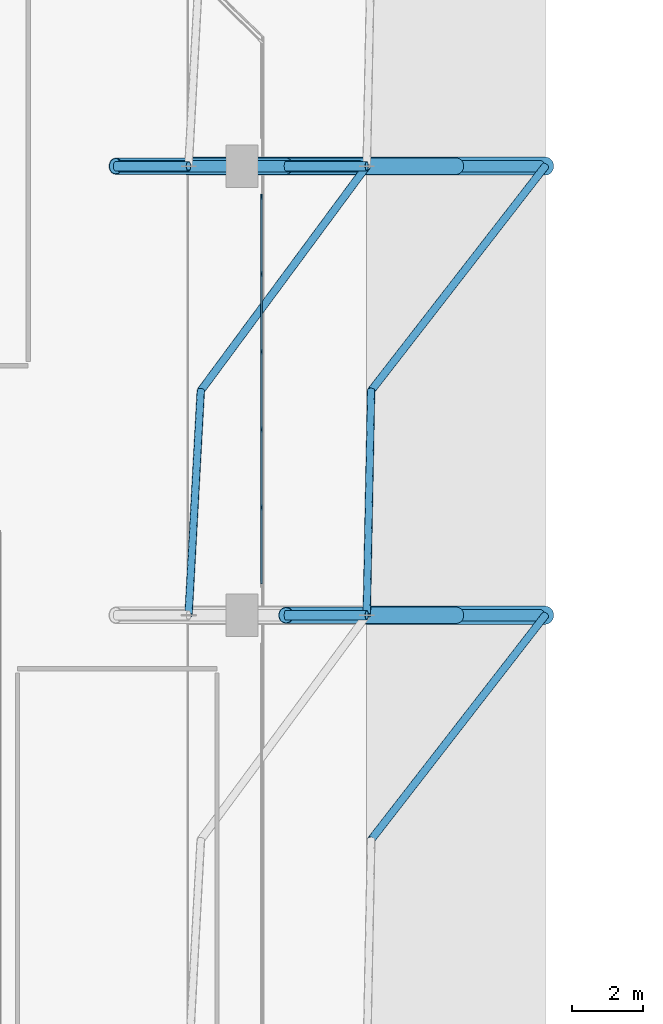
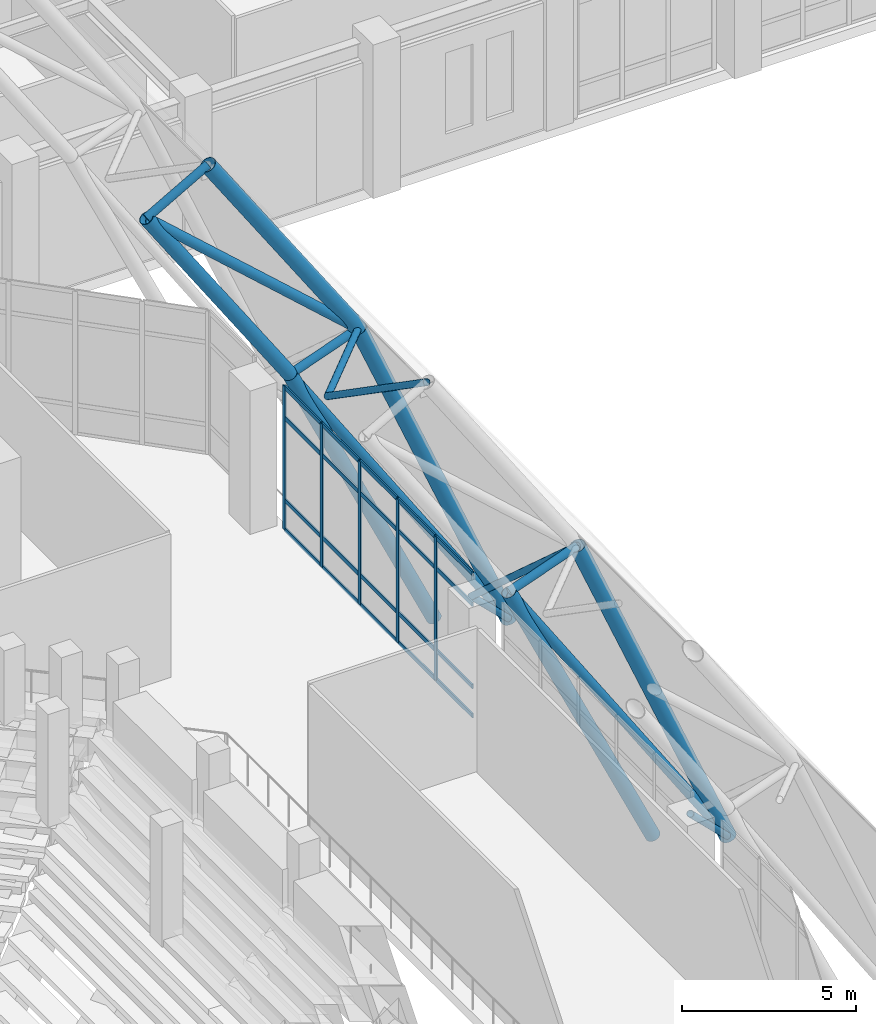
# One storey, part 54 of 159: 42 members, 1 element without a shape of its own.
"""IFC4 building model written with IfcOpenShell, lengths in metres."""

from ifc_helpers import new_model, si_unit, derived_unit, direction, frame, origin, origin_2d, place, context, subcontext, project, spatial, rectangle, hollow_circle, extrude, material, layer, layer_set, material_profile, profile_set, type_object, element, aggregate, save


model = new_model("IFC4")

# Units and contexts
model_context = context("Model", 3, precision=1e-05, world=origin(), true_north=direction((0.0, 1.0)))
body_context = subcontext(model_context, "Body", "Model", "MODEL_VIEW")
ifc_project = project(units=[si_unit("LENGTHUNIT", "METRE"), si_unit("AREAUNIT", "SQUARE_METRE"), si_unit("VOLUMEUNIT", "CUBIC_METRE"), si_unit("PLANEANGLEUNIT", "RADIAN"), si_unit("MASSUNIT", "GRAM", prefix="KILO"), derived_unit("THERMALTRANSMITTANCEUNIT", [(si_unit("MASSUNIT", "GRAM", prefix="KILO"), 1), (si_unit("TIMEUNIT", "SECOND"), -3), (si_unit("THERMODYNAMICTEMPERATUREUNIT", "KELVIN"), -1)])], contexts=[model_context])

# Site, building, storey
site_placement = place(None, origin())
site = spatial("IfcSite", under=ifc_project, at=site_placement, CompositionType="ELEMENT")
building_placement = place(site_placement, origin())
building = spatial("IfcBuilding", under=site, at=building_placement, Name="Valcora Ridge Arena", CompositionType="ELEMENT")
storey_placement = place(building_placement, frame((0.0, 0.0, 6.0)))
storey = spatial("IfcBuildingStorey", under=building, at=storey_placement, Name="L01", CompositionType="ELEMENT", Elevation=6.0)

# Curtain wall, members
ifc_material_1 = material(Name="Anodised dark bronze architectural aluminium 6063-T6", Category="aluminium")
ifc_layer = layer(ifc_material_1, 0.14990234375, Name="Anodised dark bronze architectural aluminium 6063-T6")
ifc_layer_set = layer_set([ifc_layer], Name="Anodised dark bronze architectural aluminium 6063-T6")
curtain_wall_type = type_object("IfcCurtainWallType", Name="TY-CURTAINWALL-CW-V1-EAST-109X50", PredefinedType="NOTDEFINED", material=ifc_layer_set)
curtain_wall_placement = place(storey_placement, origin())
curtain_wall = element("IfcCurtainWall", 1, at=curtain_wall_placement, inside=storey, type_object=curtain_wall_type, Name="CW-V1-EAST-109X50 CW-0111", PredefinedType="NOTDEFINED")
ifc_material_profile_1 = material_profile(ifc_material_1, rectangle(XDim=0.050048828125, YDim=0.14990234375, at=origin_2d()), Name="ALU MULLION 50x150")
ifc_profile_set_1 = profile_set([ifc_material_profile_1], Name="Anodised dark bronze architectural aluminium 6063-T6")
member_type_1 = type_object("IfcMemberType", Name="TY-MEM-CWM-50x150", PredefinedType="MULLION", material=ifc_profile_set_1)
member_1_placement = place(storey_placement, frame((103.050048828125, 86.02392578125, 0.0), z_axis=(0.0, 0.0, 1.0), x_axis=(-1.0, 0.0, 0.0)))
member_1 = element("IfcMember", 2, at=member_1_placement, type_object=member_type_1, Name="CW-0111/CWM-50x150/M01", PredefinedType="MULLION", context=body_context, shape_type="SweptSolid", body=[
    extrude(rectangle(XDim=0.050048828125, YDim=0.14990234375, at=origin_2d()), origin(), (0.0, 0.0, 1.0), 5.0400390625),
])
member_2_placement = place(storey_placement, frame((103.050048828125, 88.2080078125, 0.0), z_axis=(0.0, 0.0, 1.0), x_axis=(-1.0, 0.0, 0.0)))
member_2 = element("IfcMember", 3, at=member_2_placement, type_object=member_type_1, Name="CW-0111/CWM-50x150/M02", PredefinedType="MULLION", context=body_context, shape_type="SweptSolid", body=[
    extrude(rectangle(XDim=0.050048828125, YDim=0.14990234375, at=origin_2d()), origin(), (0.0, 0.0, 1.0), 5.0400390625),
])
member_3_placement = place(storey_placement, frame((103.050048828125, 90.39208984375, 0.0), z_axis=(0.0, 0.0, 1.0), x_axis=(-1.0, 0.0, 0.0)))
member_3 = element("IfcMember", 4, at=member_3_placement, type_object=member_type_1, Name="CW-0111/CWM-50x150/M03", PredefinedType="MULLION", context=body_context, shape_type="SweptSolid", body=[
    extrude(rectangle(XDim=0.050048828125, YDim=0.14990234375, at=origin_2d()), origin(), (0.0, 0.0, 1.0), 5.0400390625),
])
member_4_placement = place(storey_placement, frame((103.050048828125, 92.575927734375, 0.0), z_axis=(0.0, 0.0, 1.0), x_axis=(-1.0, 0.0, 0.0)))
member_4 = element("IfcMember", 5, at=member_4_placement, type_object=member_type_1, Name="CW-0111/CWM-50x150/M04", PredefinedType="MULLION", context=body_context, shape_type="SweptSolid", body=[
    extrude(rectangle(XDim=0.050048828125, YDim=0.14990234375, at=origin_2d()), origin(), (0.0, 0.0, 1.0), 5.0400390625),
])
member_5_placement = place(storey_placement, frame((103.050048828125, 94.735107421875, 0.0), z_axis=(0.0, 0.0, 1.0), x_axis=(-1.0, 0.0, 0.0)))
member_5 = element("IfcMember", 6, at=member_5_placement, type_object=member_type_1, Name="CW-0111/CWM-50x150/M05", PredefinedType="MULLION", context=body_context, shape_type="SweptSolid", body=[
    extrude(rectangle(XDim=0.050048828125, YDim=0.14990234375, at=origin_2d()), origin(), (0.0, 0.0, 1.0), 5.0400390625),
])
ifc_material_profile_2 = material_profile(ifc_material_1, rectangle(XDim=0.050048828125, YDim=0.14990234375, at=origin_2d()), Name="ALU TRANSOM 50x150")
ifc_profile_set_2 = profile_set([ifc_material_profile_2], Name="Anodised dark bronze architectural aluminium 6063-T6")
member_type_2 = type_object("IfcMemberType", Name="TY-MEM-CWT-50x150", PredefinedType="USERDEFINED", material=ifc_profile_set_2)
member_6_placement = place(storey_placement, frame((103.050048828125, 83.889892578125, 0.02490234375), z_axis=(0.0, 1.0, 0.0), x_axis=(-1.0, 0.0, 0.0)))
member_6 = element("IfcMember", 7, at=member_6_placement, type_object=member_type_2, Name="CW-0111/CWT-50x150/T00-00", ObjectType="TRANSOM", PredefinedType="USERDEFINED", context=body_context, shape_type="SweptSolid", body=[
    extrude(rectangle(XDim=0.050048828125, YDim=0.14990234375, at=origin_2d()), origin(), (0.0, 0.0, 1.0), 2.109130859375),
])
member_7_placement = place(storey_placement, frame((103.050048828125, 83.889892578125, 1.050048828125), z_axis=(0.0, 1.0, 0.0), x_axis=(-1.0, 0.0, 0.0)))
member_7 = element("IfcMember", 8, at=member_7_placement, type_object=member_type_2, Name="CW-0111/CWT-50x150/T00-01", ObjectType="TRANSOM", PredefinedType="USERDEFINED", context=body_context, shape_type="SweptSolid", body=[
    extrude(rectangle(XDim=0.050048828125, YDim=0.14990234375, at=origin_2d()), origin(), (0.0, 0.0, 1.0), 2.109130859375),
])
member_8_placement = place(storey_placement, frame((103.050048828125, 83.889892578125, 3.93994140625), z_axis=(0.0, 1.0, 0.0), x_axis=(-1.0, 0.0, 0.0)))
member_8 = element("IfcMember", 9, at=member_8_placement, type_object=member_type_2, Name="CW-0111/CWT-50x150/T00-02", ObjectType="TRANSOM", PredefinedType="USERDEFINED", context=body_context, shape_type="SweptSolid", body=[
    extrude(rectangle(XDim=0.050048828125, YDim=0.14990234375, at=origin_2d()), origin(), (0.0, 0.0, 1.0), 2.109130859375),
])
member_9_placement = place(storey_placement, frame((103.050048828125, 83.889892578125, 5.014892578125), z_axis=(0.0, 1.0, 0.0), x_axis=(-1.0, 0.0, 0.0)))
member_9 = element("IfcMember", 10, at=member_9_placement, type_object=member_type_2, Name="CW-0111/CWT-50x150/T00-03", ObjectType="TRANSOM", PredefinedType="USERDEFINED", context=body_context, shape_type="SweptSolid", body=[
    extrude(rectangle(XDim=0.050048828125, YDim=0.14990234375, at=origin_2d()), origin(), (0.0, 0.0, 1.0), 2.109130859375),
])
member_10_placement = place(storey_placement, frame((103.050048828125, 86.049072265625, 0.02490234375), z_axis=(0.0, 1.0, 0.0), x_axis=(-1.0, 0.0, 0.0)))
member_10 = element("IfcMember", 11, at=member_10_placement, type_object=member_type_2, Name="CW-0111/CWT-50x150/T01-00", ObjectType="TRANSOM", PredefinedType="USERDEFINED", context=body_context, shape_type="SweptSolid", body=[
    extrude(rectangle(XDim=0.050048828125, YDim=0.14990234375, at=origin_2d()), origin(), (0.0, 0.0, 1.0), 2.134033203125),
])
member_11_placement = place(storey_placement, frame((103.050048828125, 86.049072265625, 1.050048828125), z_axis=(0.0, 1.0, 0.0), x_axis=(-1.0, 0.0, 0.0)))
member_11 = element("IfcMember", 12, at=member_11_placement, type_object=member_type_2, Name="CW-0111/CWT-50x150/T01-01", ObjectType="TRANSOM", PredefinedType="USERDEFINED", context=body_context, shape_type="SweptSolid", body=[
    extrude(rectangle(XDim=0.050048828125, YDim=0.14990234375, at=origin_2d()), origin(), (0.0, 0.0, 1.0), 2.134033203125),
])
member_12_placement = place(storey_placement, frame((103.050048828125, 86.049072265625, 3.93994140625), z_axis=(0.0, 1.0, 0.0), x_axis=(-1.0, 0.0, 0.0)))
member_12 = element("IfcMember", 13, at=member_12_placement, type_object=member_type_2, Name="CW-0111/CWT-50x150/T01-02", ObjectType="TRANSOM", PredefinedType="USERDEFINED", context=body_context, shape_type="SweptSolid", body=[
    extrude(rectangle(XDim=0.050048828125, YDim=0.14990234375, at=origin_2d()), origin(), (0.0, 0.0, 1.0), 2.134033203125),
])
member_13_placement = place(storey_placement, frame((103.050048828125, 86.049072265625, 5.014892578125), z_axis=(0.0, 1.0, 0.0), x_axis=(-1.0, 0.0, 0.0)))
member_13 = element("IfcMember", 14, at=member_13_placement, type_object=member_type_2, Name="CW-0111/CWT-50x150/T01-03", ObjectType="TRANSOM", PredefinedType="USERDEFINED", context=body_context, shape_type="SweptSolid", body=[
    extrude(rectangle(XDim=0.050048828125, YDim=0.14990234375, at=origin_2d()), origin(), (0.0, 0.0, 1.0), 2.134033203125),
])
member_14_placement = place(storey_placement, frame((103.050048828125, 88.23291015625, 0.02490234375), z_axis=(0.0, 1.0, 0.0), x_axis=(-1.0, 0.0, 0.0)))
member_14 = element("IfcMember", 15, at=member_14_placement, type_object=member_type_2, Name="CW-0111/CWT-50x150/T02-00", ObjectType="TRANSOM", PredefinedType="USERDEFINED", context=body_context, shape_type="SweptSolid", body=[
    extrude(rectangle(XDim=0.050048828125, YDim=0.14990234375, at=origin_2d()), origin(), (0.0, 0.0, 1.0), 2.134033203125),
])
member_15_placement = place(storey_placement, frame((103.050048828125, 88.23291015625, 1.050048828125), z_axis=(0.0, 1.0, 0.0), x_axis=(-1.0, 0.0, 0.0)))
member_15 = element("IfcMember", 16, at=member_15_placement, type_object=member_type_2, Name="CW-0111/CWT-50x150/T02-01", ObjectType="TRANSOM", PredefinedType="USERDEFINED", context=body_context, shape_type="SweptSolid", body=[
    extrude(rectangle(XDim=0.050048828125, YDim=0.14990234375, at=origin_2d()), origin(), (0.0, 0.0, 1.0), 2.134033203125),
])
member_16_placement = place(storey_placement, frame((103.050048828125, 88.23291015625, 3.93994140625), z_axis=(0.0, 1.0, 0.0), x_axis=(-1.0, 0.0, 0.0)))
member_16 = element("IfcMember", 17, at=member_16_placement, type_object=member_type_2, Name="CW-0111/CWT-50x150/T02-02", ObjectType="TRANSOM", PredefinedType="USERDEFINED", context=body_context, shape_type="SweptSolid", body=[
    extrude(rectangle(XDim=0.050048828125, YDim=0.14990234375, at=origin_2d()), origin(), (0.0, 0.0, 1.0), 2.134033203125),
])
member_17_placement = place(storey_placement, frame((103.050048828125, 88.23291015625, 5.014892578125), z_axis=(0.0, 1.0, 0.0), x_axis=(-1.0, 0.0, 0.0)))
member_17 = element("IfcMember", 18, at=member_17_placement, type_object=member_type_2, Name="CW-0111/CWT-50x150/T02-03", ObjectType="TRANSOM", PredefinedType="USERDEFINED", context=body_context, shape_type="SweptSolid", body=[
    extrude(rectangle(XDim=0.050048828125, YDim=0.14990234375, at=origin_2d()), origin(), (0.0, 0.0, 1.0), 2.134033203125),
])
member_18_placement = place(storey_placement, frame((103.050048828125, 90.4169921875, 0.02490234375), z_axis=(0.0, 1.0, 0.0), x_axis=(-1.0, 0.0, 0.0)))
member_18 = element("IfcMember", 19, at=member_18_placement, type_object=member_type_2, Name="CW-0111/CWT-50x150/T03-00", ObjectType="TRANSOM", PredefinedType="USERDEFINED", context=body_context, shape_type="SweptSolid", body=[
    extrude(rectangle(XDim=0.050048828125, YDim=0.14990234375, at=origin_2d()), origin(), (0.0, 0.0, 1.0), 2.134033203125),
])
member_19_placement = place(storey_placement, frame((103.050048828125, 90.4169921875, 1.050048828125), z_axis=(0.0, 1.0, 0.0), x_axis=(-1.0, 0.0, 0.0)))
member_19 = element("IfcMember", 20, at=member_19_placement, type_object=member_type_2, Name="CW-0111/CWT-50x150/T03-01", ObjectType="TRANSOM", PredefinedType="USERDEFINED", context=body_context, shape_type="SweptSolid", body=[
    extrude(rectangle(XDim=0.050048828125, YDim=0.14990234375, at=origin_2d()), origin(), (0.0, 0.0, 1.0), 2.134033203125),
])
member_20_placement = place(storey_placement, frame((103.050048828125, 90.4169921875, 3.93994140625), z_axis=(0.0, 1.0, 0.0), x_axis=(-1.0, 0.0, 0.0)))
member_20 = element("IfcMember", 21, at=member_20_placement, type_object=member_type_2, Name="CW-0111/CWT-50x150/T03-02", ObjectType="TRANSOM", PredefinedType="USERDEFINED", context=body_context, shape_type="SweptSolid", body=[
    extrude(rectangle(XDim=0.050048828125, YDim=0.14990234375, at=origin_2d()), origin(), (0.0, 0.0, 1.0), 2.134033203125),
])
member_21_placement = place(storey_placement, frame((103.050048828125, 90.4169921875, 5.014892578125), z_axis=(0.0, 1.0, 0.0), x_axis=(-1.0, 0.0, 0.0)))
member_21 = element("IfcMember", 22, at=member_21_placement, type_object=member_type_2, Name="CW-0111/CWT-50x150/T03-03", ObjectType="TRANSOM", PredefinedType="USERDEFINED", context=body_context, shape_type="SweptSolid", body=[
    extrude(rectangle(XDim=0.050048828125, YDim=0.14990234375, at=origin_2d()), origin(), (0.0, 0.0, 1.0), 2.134033203125),
])
member_22_placement = place(storey_placement, frame((103.050048828125, 92.60107421875, 0.02490234375), z_axis=(0.0, 1.0, 0.0), x_axis=(-1.0, 0.0, 0.0)))
member_22 = element("IfcMember", 23, at=member_22_placement, type_object=member_type_2, Name="CW-0111/CWT-50x150/T04-00", ObjectType="TRANSOM", PredefinedType="USERDEFINED", context=body_context, shape_type="SweptSolid", body=[
    extrude(rectangle(XDim=0.050048828125, YDim=0.14990234375, at=origin_2d()), origin(), (0.0, 0.0, 1.0), 2.10888671875),
])
member_23_placement = place(storey_placement, frame((103.050048828125, 92.60107421875, 1.050048828125), z_axis=(0.0, 1.0, 0.0), x_axis=(-1.0, 0.0, 0.0)))
member_23 = element("IfcMember", 24, at=member_23_placement, type_object=member_type_2, Name="CW-0111/CWT-50x150/T04-01", ObjectType="TRANSOM", PredefinedType="USERDEFINED", context=body_context, shape_type="SweptSolid", body=[
    extrude(rectangle(XDim=0.050048828125, YDim=0.14990234375, at=origin_2d()), origin(), (0.0, 0.0, 1.0), 2.10888671875),
])
member_24_placement = place(storey_placement, frame((103.050048828125, 92.60107421875, 3.93994140625), z_axis=(0.0, 1.0, 0.0), x_axis=(-1.0, 0.0, 0.0)))
member_24 = element("IfcMember", 25, at=member_24_placement, type_object=member_type_2, Name="CW-0111/CWT-50x150/T04-02", ObjectType="TRANSOM", PredefinedType="USERDEFINED", context=body_context, shape_type="SweptSolid", body=[
    extrude(rectangle(XDim=0.050048828125, YDim=0.14990234375, at=origin_2d()), origin(), (0.0, 0.0, 1.0), 2.10888671875),
])
member_25_placement = place(storey_placement, frame((103.050048828125, 92.60107421875, 5.014892578125), z_axis=(0.0, 1.0, 0.0), x_axis=(-1.0, 0.0, 0.0)))
member_25 = element("IfcMember", 26, at=member_25_placement, type_object=member_type_2, Name="CW-0111/CWT-50x150/T04-03", ObjectType="TRANSOM", PredefinedType="USERDEFINED", context=body_context, shape_type="SweptSolid", body=[
    extrude(rectangle(XDim=0.050048828125, YDim=0.14990234375, at=origin_2d()), origin(), (0.0, 0.0, 1.0), 2.10888671875),
])
aggregate(curtain_wall, [member_1, member_2, member_3, member_4, member_5, member_6, member_7, member_8, member_9, member_10, member_11, member_12, member_13, member_14, member_15, member_16, member_17, member_18, member_19, member_20, member_21, member_22, member_23, member_24, member_25])

# Members
ifc_material_2 = material(Name="Steel ASTM A500 Grade C", Category="steel")
ifc_material_profile_3 = material_profile(ifc_material_2, hollow_circle(Radius=0.228515625, WallThickness=0.01611328125, at=origin_2d()), Name="CHS457X16")
ifc_profile_set_3 = profile_set([ifc_material_profile_3], Name="Steel ASTM A500 Grade C")
member_type_3 = type_object("IfcMemberType", Name="TY-MEMBER-SFBC-457", PredefinedType="CHORD", material=ifc_profile_set_3)
member_26_placement = place(storey_placement, frame((103.73046875, 83.0, 4.687744140625), z_axis=(0.423307664024, 0.0, -0.90598599414), x_axis=(0.0, 1.0, 0.0)))
element("IfcMember", 27, at=member_26_placement, inside=storey, type_object=member_type_3, Name="SFBC-457 Space Frame Bottom Chord", PredefinedType="CHORD", context=body_context, shape_type="SweptSolid", body=[
    extrude(hollow_circle(Radius=0.228515625, WallThickness=0.01611328125, at=origin_2d()), origin(), (0.0, 0.0, 1.0), 11.300048828125),
])
member_27_placement = place(storey_placement, frame((98.95654296875, 95.60009765625, 11.845947265625), z_axis=(0.554844245473, 0.0, -0.831954243493), x_axis=(0.0, 1.0, 0.0)))
element("IfcMember", 28, at=member_27_placement, inside=storey, type_object=member_type_3, Name="SFBC-457 Space Frame Bottom Chord", PredefinedType="CHORD", context=body_context, shape_type="SweptSolid", body=[
    extrude(hollow_circle(Radius=0.228515625, WallThickness=0.01611328125, at=origin_2d()), origin(), (0.0, 0.0, 1.0), 8.60400390625),
])
member_28_placement = place(storey_placement, frame((103.73046875, 95.60009765625, 4.687744140625), z_axis=(0.423307664024, 0.0, -0.90598599414), x_axis=(0.0, 1.0, 0.0)))
element("IfcMember", 29, at=member_28_placement, inside=storey, type_object=member_type_3, Name="SFBC-457 Space Frame Bottom Chord", PredefinedType="CHORD", context=body_context, shape_type="SweptSolid", body=[
    extrude(hollow_circle(Radius=0.228515625, WallThickness=0.01611328125, at=origin_2d()), origin(), (0.0, 0.0, 1.0), 11.300048828125),
])
ifc_material_profile_4 = material_profile(ifc_material_2, hollow_circle(Radius=0.136474609375, WallThickness=0.012451171875, at=origin_2d()), Name="CHS273X12")
ifc_profile_set_4 = profile_set([ifc_material_profile_4], Name="Steel ASTM A500 Grade C")
member_type_4 = type_object("IfcMemberType", Name="TY-MEMBER-SFKP-273", PredefinedType="POST", material=ifc_profile_set_4)
member_29_placement = place(storey_placement, frame((103.73046875, 83.0, 4.687744140625), z_axis=(0.940679548022, 0.0, 0.339296312878), x_axis=(0.0, 1.0, 0.0)))
element("IfcMember", 30, at=member_29_placement, inside=storey, type_object=member_type_4, Name="SFKP-273 Space Frame King Post", PredefinedType="POST", context=body_context, shape_type="SweptSolid", body=[
    extrude(hollow_circle(Radius=0.136474609375, WallThickness=0.012451171875, at=origin_2d()), origin(), (0.0, 0.0, 1.0), 2.41259765625),
])
member_30_placement = place(storey_placement, frame((98.95654296875, 95.60009765625, 11.845947265625), z_axis=(0.870066770029, 0.0, 0.49293388572), x_axis=(0.0, 1.0, 0.0)))
element("IfcMember", 31, at=member_30_placement, inside=storey, type_object=member_type_4, Name="SFKP-273 Space Frame King Post", PredefinedType="POST", context=body_context, shape_type="SweptSolid", body=[
    extrude(hollow_circle(Radius=0.136474609375, WallThickness=0.012451171875, at=origin_2d()), origin(), (0.0, 0.0, 1.0), 2.3486328125),
])
member_31_placement = place(storey_placement, frame((103.73046875, 95.60009765625, 4.687744140625), z_axis=(0.940679548022, 0.0, 0.339296312878), x_axis=(0.0, 1.0, 0.0)))
element("IfcMember", 32, at=member_31_placement, inside=storey, type_object=member_type_4, Name="SFKP-273 Space Frame King Post", PredefinedType="POST", context=body_context, shape_type="SweptSolid", body=[
    extrude(hollow_circle(Radius=0.136474609375, WallThickness=0.012451171875, at=origin_2d()), origin(), (0.0, 0.0, 1.0), 2.41259765625),
])
ifc_material_profile_5 = material_profile(ifc_material_2, hollow_circle(Radius=0.109619140625, WallThickness=0.010009765625, at=origin_2d()), Name="CHS219X10")
ifc_profile_set_5 = profile_set([ifc_material_profile_5], Name="Steel ASTM A500 Grade C")
member_type_5 = type_object("IfcMemberType", Name="TY-MEMBER-SFST-219", PredefinedType="STRUT", material=ifc_profile_set_5)
member_32_placement = place(storey_placement, frame((106.122314453125, 76.699951171875, -0.131103515625), z_axis=(0.480415634136, 0.619237034909, -0.621084787348), x_axis=(-0.790101773221, 0.612975683003, 0.0)))
element("IfcMember", 33, at=member_32_placement, inside=storey, type_object=member_type_5, Name="SFST-219 Space Frame Tie Strut", PredefinedType="STRUT", context=body_context, shape_type="SweptSolid", body=[
    extrude(hollow_circle(Radius=0.109619140625, WallThickness=0.010009765625, at=origin_2d()), origin(), (0.0, 0.0, 1.0), 10.173828125),
])
member_33_placement = place(storey_placement, frame((101.343505859375, 89.300048828125, 8.570068359375), z_axis=(-0.044545322224, -0.816980838661, 0.57494175664), x_axis=(0.998516855542, -0.054443449554, 0.0)))
element("IfcMember", 34, at=member_33_placement, inside=storey, type_object=member_type_5, Name="SFST-219 Space Frame Tie Strut", PredefinedType="STRUT", context=body_context, shape_type="SweptSolid", body=[
    extrude(hollow_circle(Radius=0.109619140625, WallThickness=0.010009765625, at=origin_2d()), origin(), (0.0, 0.0, 1.0), 7.71142578125),
])
member_34_placement = place(storey_placement, frame((101.343505859375, 89.300048828125, 8.570068359375), z_axis=(0.55356081568, 0.748945464721, -0.364213006657), x_axis=(-0.804180027391, 0.59438580362, 0.0)))
element("IfcMember", 35, at=member_34_placement, inside=storey, type_object=member_type_5, Name="SFST-219 Space Frame Tie Strut", PredefinedType="STRUT", context=body_context, shape_type="SweptSolid", body=[
    extrude(hollow_circle(Radius=0.109619140625, WallThickness=0.010009765625, at=origin_2d()), origin(), (0.0, 0.0, 1.0), 8.411865234375),
])
member_35_placement = place(storey_placement, frame((106.122314453125, 89.300048828125, -0.131103515625), z_axis=(-0.014466583162, -0.745130096773, 0.666762219127), x_axis=(0.999811585217, -0.019411184042, 0.0)))
element("IfcMember", 36, at=member_35_placement, inside=storey, type_object=member_type_5, Name="SFST-219 Space Frame Tie Strut", PredefinedType="STRUT", context=body_context, shape_type="SweptSolid", body=[
    extrude(hollow_circle(Radius=0.109619140625, WallThickness=0.010009765625, at=origin_2d()), origin(), (0.0, 0.0, 1.0), 8.455078125),
])
member_36_placement = place(storey_placement, frame((106.122314453125, 89.300048828125, -0.131103515625), z_axis=(0.480415634136, 0.619237034909, -0.621084787348), x_axis=(-0.790101773221, 0.612975683003, 0.0)))
element("IfcMember", 37, at=member_36_placement, inside=storey, type_object=member_type_5, Name="SFST-219 Space Frame Tie Strut", PredefinedType="STRUT", context=body_context, shape_type="SweptSolid", body=[
    extrude(hollow_circle(Radius=0.109619140625, WallThickness=0.010009765625, at=origin_2d()), origin(), (0.0, 0.0, 1.0), 10.173828125),
])
ifc_material_profile_6 = material_profile(ifc_material_2, hollow_circle(Radius=0.25390625, WallThickness=0.01611328125, at=origin_2d()), Name="CHS508X16")
ifc_profile_set_6 = profile_set([ifc_material_profile_6], Name="Steel ASTM A500 Grade C")
member_type_6 = type_object("IfcMemberType", Name="TY-MEMBER-SFTC-508", PredefinedType="CHORD", material=ifc_profile_set_6)
member_37_placement = place(storey_placement, frame((106.0, 83.0, 5.50634765625), z_axis=(0.386469367501, 0.0, -0.922302243293), x_axis=(0.0, 1.0, 0.0)))
element("IfcMember", 38, at=member_37_placement, inside=storey, type_object=member_type_6, Name="SFTC-508 Space Frame Top Chord", PredefinedType="CHORD", context=body_context, shape_type="SweptSolid", body=[
    extrude(hollow_circle(Radius=0.25390625, WallThickness=0.01611328125, at=origin_2d()), origin(), (0.0, 0.0, 1.0), 12.963623046875),
])
member_38_placement = place(storey_placement, frame((101.0, 95.60009765625, 13.003662109375), z_axis=(0.554837731053, 0.0, -0.831958588032), x_axis=(0.0, 1.0, 0.0)))
element("IfcMember", 39, at=member_38_placement, inside=storey, type_object=member_type_6, Name="SFTC-508 Space Frame Top Chord", PredefinedType="CHORD", context=body_context, shape_type="SweptSolid", body=[
    extrude(hollow_circle(Radius=0.25390625, WallThickness=0.01611328125, at=origin_2d()), origin(), (0.0, 0.0, 1.0), 9.01171875),
])
member_39_placement = place(storey_placement, frame((106.0, 95.60009765625, 5.50634765625), z_axis=(0.386469367501, 0.0, -0.922302243293), x_axis=(0.0, 1.0, 0.0)))
element("IfcMember", 40, at=member_39_placement, inside=storey, type_object=member_type_6, Name="SFTC-508 Space Frame Top Chord", PredefinedType="CHORD", context=body_context, shape_type="SweptSolid", body=[
    extrude(hollow_circle(Radius=0.25390625, WallThickness=0.01611328125, at=origin_2d()), origin(), (0.0, 0.0, 1.0), 12.963623046875),
])
ifc_material_profile_7 = material_profile(ifc_material_2, hollow_circle(Radius=0.161865234375, WallThickness=0.012451171875, at=origin_2d()), Name="CHS323X12")
ifc_profile_set_7 = profile_set([ifc_material_profile_7], Name="Steel ASTM A500 Grade C")
member_type_7 = type_object("IfcMemberType", Name="TY-MEMBER-SFWB-323", PredefinedType="BRACE", material=ifc_profile_set_7)
member_40_placement = place(storey_placement, frame((103.818115234375, 83.0, 4.5537109375), z_axis=(0.547092389221, 0.0, -0.837072229653), x_axis=(0.0, 1.0, 0.0)))
element("IfcMember", 41, at=member_40_placement, inside=storey, type_object=member_type_7, Name="SFWB-323 Space Frame Diagonal Brace", PredefinedType="BRACE", context=body_context, shape_type="SweptSolid", body=[
    extrude(hollow_circle(Radius=0.161865234375, WallThickness=0.012451171875, at=origin_2d()), origin(), (0.0, 0.0, 1.0), 12.865478515625),
])
member_41_placement = place(storey_placement, frame((99.075439453125, 95.60009765625, 11.739013671875), z_axis=(0.743265934417, 0.0, -0.668996076771), x_axis=(0.0, 1.0, 0.0)))
element("IfcMember", 42, at=member_41_placement, inside=storey, type_object=member_type_7, Name="SFWB-323 Space Frame Diagonal Brace", PredefinedType="BRACE", context=body_context, shape_type="SweptSolid", body=[
    extrude(hollow_circle(Radius=0.161865234375, WallThickness=0.012451171875, at=origin_2d()), origin(), (0.0, 0.0, 1.0), 9.03662109375),
])
member_42_placement = place(storey_placement, frame((103.818115234375, 95.60009765625, 4.5537109375), z_axis=(0.547092389221, 0.0, -0.837072229653), x_axis=(0.0, 1.0, 0.0)))
element("IfcMember", 43, at=member_42_placement, inside=storey, type_object=member_type_7, Name="SFWB-323 Space Frame Diagonal Brace", PredefinedType="BRACE", context=body_context, shape_type="SweptSolid", body=[
    extrude(hollow_circle(Radius=0.161865234375, WallThickness=0.012451171875, at=origin_2d()), origin(), (0.0, 0.0, 1.0), 12.865478515625),
])

save(model, "model.ifc")
